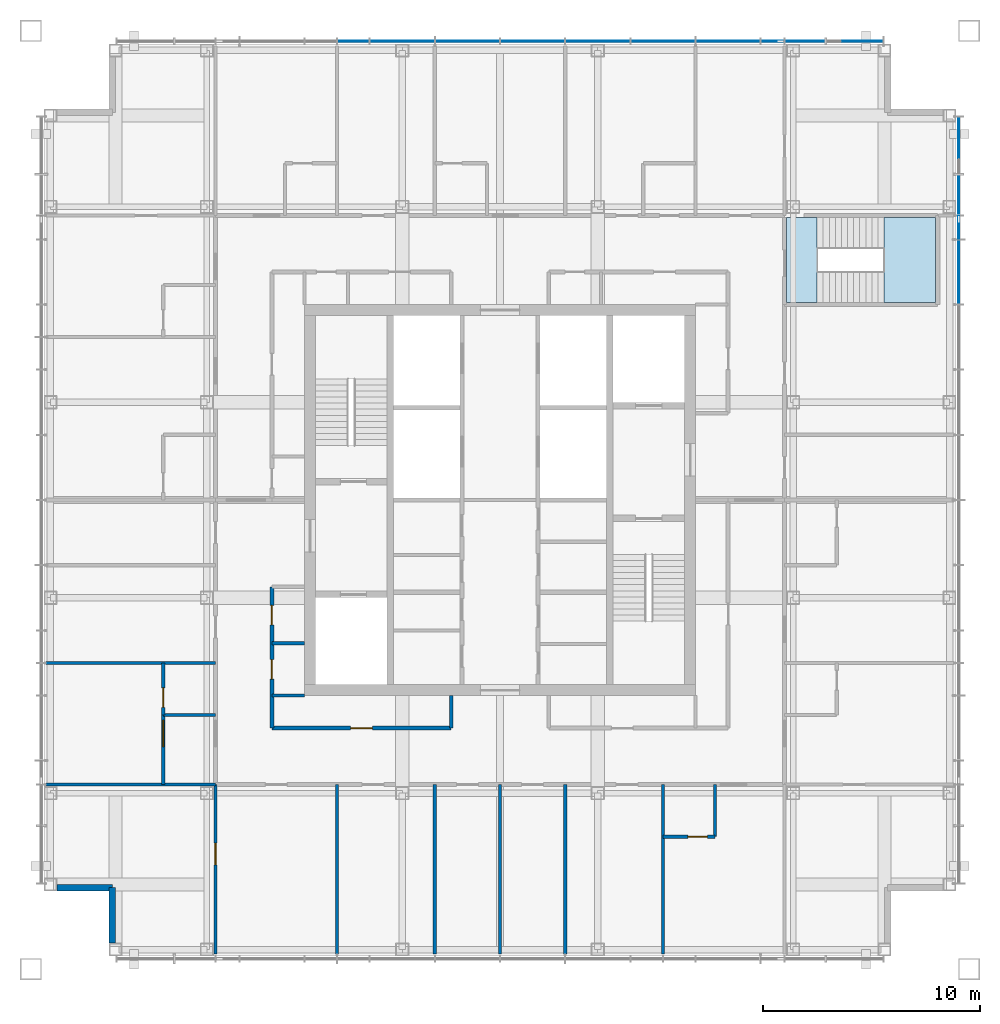
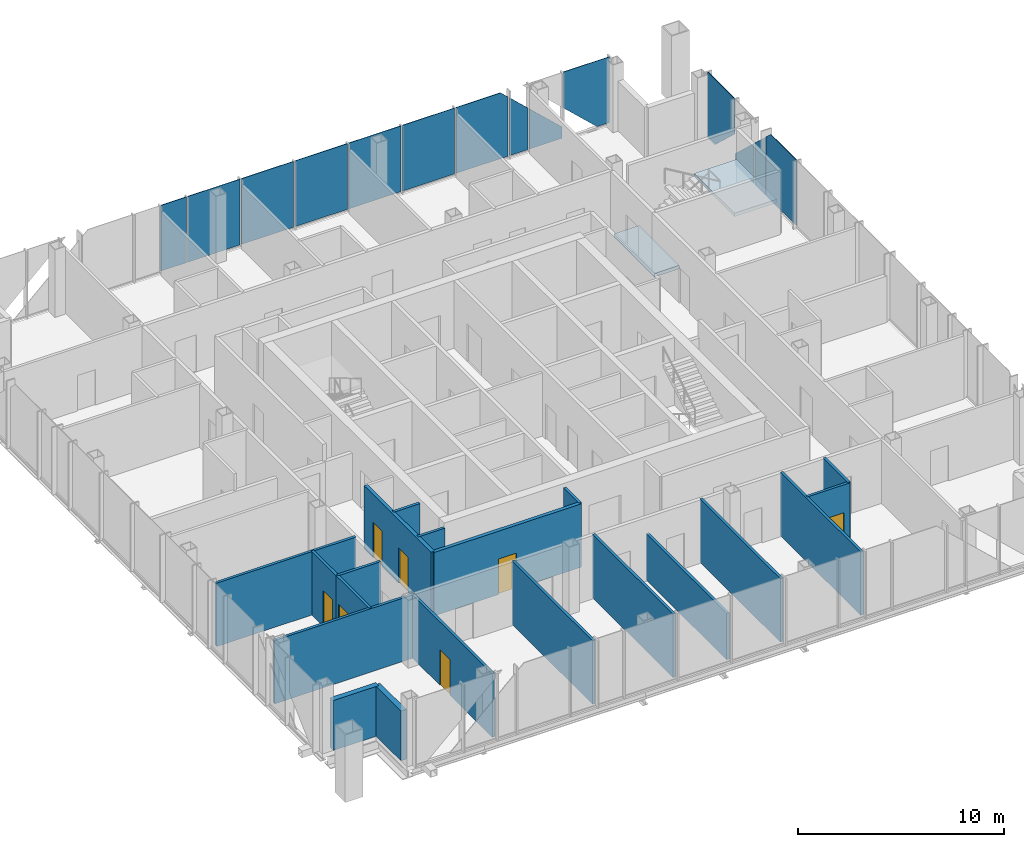
# One storey, part 7 of 16: 20 walls, 14 plates, 7 doors, 2 slabs, 7 openings, 3 elements without a shape of their own.
"""IFC4 building model written with IfcOpenShell, lengths in metres."""

from ifc_helpers import new_model, si_unit, direction, frame, frame_2d, origin, origin_2d, place, context, subcontext, project, spatial, polyline, rectangle, outline, extrude, material, layer, layer_set, type_object, element, fill, aggregate, save


model = new_model("IFC4")

# Units and contexts
model_context = context("Model", 3, precision=1e-05, world=origin(), true_north=direction((0.0, 1.0)))
body_context = subcontext(model_context, "Body", "Model", "MODEL_VIEW")
ifc_project = project(units=[si_unit("LENGTHUNIT", "METRE"), si_unit("AREAUNIT", "SQUARE_METRE"), si_unit("VOLUMEUNIT", "CUBIC_METRE"), si_unit("PLANEANGLEUNIT", "RADIAN"), si_unit("MASSUNIT", "GRAM", prefix="KILO")], contexts=[model_context])

# Site, building, storey
site_placement = place(None, origin())
site = spatial("IfcSite", under=ifc_project, at=site_placement, CompositionType="ELEMENT")
building_placement = place(site_placement, origin())
building = spatial("IfcBuilding", under=site, at=building_placement, Name="Malebo Sky Hospital", CompositionType="ELEMENT")
storey_placement = place(building_placement, frame((0.0, 0.0, 254.0)))
storey = spatial("IfcBuildingStorey", under=building, at=storey_placement, Name="L61", CompositionType="ELEMENT", Elevation=254.0)

# Stair, slabs
ifc_material_1 = material(Name="Concrete C40/50", Category="concrete")
stair_type = type_object("IfcStairType", Name="HALF-TURN STAIR 1400 R167", PredefinedType="HALF_TURN_STAIR", material=ifc_material_1)
stair_placement = place(storey_placement, origin())
stair = element("IfcStair", 1, at=stair_placement, inside=storey, type_object=stair_type, Name="Stair S3 L61 type ST1B", PredefinedType="HALF_TURN_STAIR")
ifc_layer_1 = layer(ifc_material_1, 0.199951171875)
ifc_layer_set_1 = layer_set([ifc_layer_1], Name="STAIR LANDING 200")
slab_type = type_object("IfcSlabType", Name="STAIR LANDING 200", PredefinedType="LANDING", material=ifc_layer_set_1)
slab_1_placement = place(storey_placement, frame((0.0, 0.0, -0.199951171875)))
slab_1 = element("IfcSlab", 2, at=slab_1_placement, type_object=slab_type, Name="S3 landing 1", PredefinedType="LANDING", context=body_context, shape_type="SweptSolid", body=[
    extrude(outline(polyline([(73.199951171875, 71.10009765625), (73.199951171875, 75.0), (74.60009765625, 75.0), (74.60009765625, 71.10009765625), (73.199951171875, 71.10009765625)])), origin(), (0.0, 0.0, 1.0), 0.199951171875),
])
slab_2_placement = place(storey_placement, frame((0.0, 0.0, 1.800048828125)))
slab_2 = element("IfcSlab", 3, at=slab_2_placement, type_object=slab_type, Name="S3 landing 2", PredefinedType="LANDING", context=body_context, shape_type="SweptSolid", body=[
    extrude(outline(polyline([(77.679931640625, 71.10009765625), (77.679931640625, 75.0), (80.050048828125, 75.0), (80.050048828125, 71.10009765625), (77.679931640625, 71.10009765625)])), origin(), (0.0, 0.0, 1.0), 0.199951171875),
])
aggregate(stair, [slab_1, slab_2])

# Curtain wall, plates
ifc_material_2 = material(Name="Anodised aluminium, natural silver", Category="aluminium")
ifc_layer_2 = layer(ifc_material_2, 0.25)
ifc_layer_set_2 = layer_set([ifc_layer_2], Name="WARD CURTAIN WALL NORTH AND SOUTH")
curtain_wall_type_1 = type_object("IfcCurtainWallType", Name="WARD CURTAIN WALL NORTH AND SOUTH", PredefinedType="NOTDEFINED", material=ifc_layer_set_2)
curtain_wall_1_placement = place(storey_placement, origin())
curtain_wall_1 = element("IfcCurtainWall", 4, at=curtain_wall_1_placement, inside=storey, type_object=curtain_wall_type_1, Name="NS curtain wall N", PredefinedType="NOTDEFINED")
ifc_material_3 = material(Name="Clear low-iron double glazing", Category="glass")
ifc_layer_3 = layer(ifc_material_3, 0.031982421875)
ifc_layer_set_3 = layer_set([ifc_layer_3], Name="VISION PANEL CLEAR 32")
plate_type = type_object("IfcPlateType", Name="VISION PANEL CLEAR 32", PredefinedType="CURTAIN_PANEL", material=ifc_layer_set_3)
plate_1_placement = place(storey_placement, frame((53.25, 83.125, 0.10009765625), z_axis=(0.0, 0.0, 1.0), x_axis=(1.0, 0.0, 0.0)))
plate_1 = element("IfcPlate", 5, at=plate_1_placement, type_object=plate_type, Name="Panel 6", PredefinedType="CURTAIN_PANEL", context=body_context, shape_type="SweptSolid", body=[
    extrude(rectangle(XDim=1.425048828125, YDim=0.031982421875, at=origin_2d()), origin(), (0.0, 0.0, 1.0), 3.889892578125),
])
plate_2_placement = place(storey_placement, frame((55.5, 83.125, 0.10009765625), z_axis=(0.0, 0.0, 1.0), x_axis=(1.0, 0.0, 0.0)))
plate_2 = element("IfcPlate", 6, at=plate_2_placement, type_object=plate_type, Name="Panel 7", PredefinedType="CURTAIN_PANEL", context=body_context, shape_type="SweptSolid", body=[
    extrude(rectangle(XDim=2.925048828125, YDim=0.031982421875, at=origin_2d()), origin(), (0.0, 0.0, 1.0), 3.889892578125),
])
plate_3_placement = place(storey_placement, frame((58.5, 83.125, 0.10009765625), z_axis=(0.0, 0.0, 1.0), x_axis=(1.0, 0.0, 0.0)))
plate_3 = element("IfcPlate", 7, at=plate_3_placement, type_object=plate_type, Name="Panel 8", PredefinedType="CURTAIN_PANEL", context=body_context, shape_type="SweptSolid", body=[
    extrude(rectangle(XDim=2.925048828125, YDim=0.031982421875, at=origin_2d()), origin(), (0.0, 0.0, 1.0), 3.889892578125),
])
plate_4_placement = place(storey_placement, frame((61.5, 83.125, 0.10009765625), z_axis=(0.0, 0.0, 1.0), x_axis=(1.0, 0.0, 0.0)))
plate_4 = element("IfcPlate", 8, at=plate_4_placement, type_object=plate_type, Name="Panel 9", PredefinedType="CURTAIN_PANEL", context=body_context, shape_type="SweptSolid", body=[
    extrude(rectangle(XDim=2.925048828125, YDim=0.031982421875, at=origin_2d()), origin(), (0.0, 0.0, 1.0), 3.889892578125),
])
plate_5_placement = place(storey_placement, frame((64.5, 83.125, 0.10009765625), z_axis=(0.0, 0.0, 1.0), x_axis=(1.0, 0.0, 0.0)))
plate_5 = element("IfcPlate", 9, at=plate_5_placement, type_object=plate_type, Name="Panel 10", PredefinedType="CURTAIN_PANEL", context=body_context, shape_type="SweptSolid", body=[
    extrude(rectangle(XDim=2.925048828125, YDim=0.031982421875, at=origin_2d()), origin(), (0.0, 0.0, 1.0), 3.889892578125),
])
plate_6_placement = place(storey_placement, frame((67.5, 83.125, 0.10009765625), z_axis=(0.0, 0.0, 1.0), x_axis=(1.0, 0.0, 0.0)))
plate_6 = element("IfcPlate", 10, at=plate_6_placement, type_object=plate_type, Name="Panel 11", PredefinedType="CURTAIN_PANEL", context=body_context, shape_type="SweptSolid", body=[
    extrude(rectangle(XDim=2.925048828125, YDim=0.031982421875, at=origin_2d()), origin(), (0.0, 0.0, 1.0), 3.889892578125),
])
plate_7_placement = place(storey_placement, frame((70.5, 83.125, 0.10009765625), z_axis=(0.0, 0.0, 1.0), x_axis=(1.0, 0.0, 0.0)))
plate_7 = element("IfcPlate", 11, at=plate_7_placement, type_object=plate_type, Name="Panel 12", PredefinedType="CURTAIN_PANEL", context=body_context, shape_type="SweptSolid", body=[
    extrude(outline(polyline([(-1.46240234375, 0.0), (1.46240234375, 0.0), (1.46240234375, 3.4912109375), (1.03662109375, 3.889892578125), (-1.46240234375, 3.889892578125), (-1.46240234375, 0.0)])), frame((0.0, 0.01611328125, 0.0), z_axis=(0.0, -1.0, 0.0), x_axis=(1.0, 0.0, 0.0)), (0.0, 0.0, 1.0), 0.031982421875),
])
plate_8_placement = place(storey_placement, frame((72.550048828125, 83.125, 0.10009765625), z_axis=(0.0, 0.0, 1.0), x_axis=(1.0, 0.0, 0.0)))
plate_8 = element("IfcPlate", 12, at=plate_8_placement, type_object=plate_type, Name="Panel 13", PredefinedType="CURTAIN_PANEL", context=body_context, shape_type="SweptSolid", body=[
    extrude(outline(polyline([(-0.512451171875, 0.0), (0.512451171875, 0.0), (0.512451171875, 2.461181640625), (-0.512451171875, 3.4208984375), (-0.512451171875, 0.0)])), frame((0.0, 0.01611328125, 0.0), z_axis=(0.0, -1.0, 0.0), x_axis=(1.0, 0.0, 0.0)), (0.0, 0.0, 1.0), 0.031982421875),
])
plate_9_placement = place(storey_placement, frame((74.050048828125, 83.125, 0.10009765625), z_axis=(0.0, 0.0, 1.0), x_axis=(1.0, 0.0, 0.0)))
plate_9 = element("IfcPlate", 13, at=plate_9_placement, type_object=plate_type, Name="Panel 14", PredefinedType="CURTAIN_PANEL", context=body_context, shape_type="SweptSolid", body=[
    extrude(outline(polyline([(-0.91259765625, 0.0), (0.91259765625, 0.0), (0.91259765625, 0.68212890625), (-0.91259765625, 2.390869140625), (-0.91259765625, 0.0)])), frame((0.0, 0.01611328125, 0.0), z_axis=(0.0, -1.0, 0.0), x_axis=(1.0, 0.0, 0.0)), (0.0, 0.0, 1.0), 0.031982421875),
])
plate_10_placement = place(storey_placement, frame((76.331298828125, 83.125, 0.10009765625), z_axis=(0.0, 0.0, 1.0), x_axis=(1.0, 0.0, 0.0)))
plate_10 = element("IfcPlate", 14, at=plate_10_placement, type_object=plate_type, Name="Panel 15", PredefinedType="CURTAIN_PANEL", context=body_context, shape_type="SweptSolid", body=[
    extrude(outline(polyline([(0.604736328125, 0.0), (1.293701171875, 0.0), (1.293701171875, 3.889892578125), (-1.293701171875, 3.889892578125), (-1.293701171875, 1.777587890625), (0.604736328125, 0.0)])), frame((0.0, 0.01611328125, 0.0), z_axis=(0.0, -1.0, 0.0), x_axis=(1.0, 0.0, 0.0)), (0.0, 0.0, 1.0), 0.031982421875),
])
aggregate(curtain_wall_1, [plate_1, plate_2, plate_3, plate_4, plate_5, plate_6, plate_7, plate_8, plate_9, plate_10])

ifc_layer_4 = layer(ifc_material_2, 0.25)
ifc_layer_set_4 = layer_set([ifc_layer_4], Name="WARD CURTAIN WALL EAST AND WEST")
curtain_wall_type_2 = type_object("IfcCurtainWallType", Name="WARD CURTAIN WALL EAST AND WEST", PredefinedType="NOTDEFINED", material=ifc_layer_set_4)
curtain_wall_2_placement = place(storey_placement, origin())
curtain_wall_2 = element("IfcCurtainWall", 15, at=curtain_wall_2_placement, inside=storey, type_object=curtain_wall_type_2, Name="EW curtain wall E", PredefinedType="NOTDEFINED")
plate_11_placement = place(storey_placement, frame((81.125, 78.331298828125, 0.10009765625), z_axis=(0.0, 0.0, 1.0), x_axis=(0.0, -1.0, 0.0)))
plate_11 = element("IfcPlate", 16, at=plate_11_placement, type_object=plate_type, Name="Panel 1", PredefinedType="CURTAIN_PANEL", context=body_context, shape_type="SweptSolid", body=[
    extrude(outline(polyline([(-1.293701171875, 0.0), (-0.604736328125, 0.0), (1.293701171875, 1.777587890625), (1.293701171875, 3.889892578125), (-1.293701171875, 3.889892578125), (-1.293701171875, 0.0)])), frame((0.0, 0.01611328125, 0.0), z_axis=(0.0, -1.0, 0.0), x_axis=(1.0, 0.0, 0.0)), (0.0, 0.0, 1.0), 0.031982421875),
])
plate_12_placement = place(storey_placement, frame((81.125, 76.050048828125, 0.10009765625), z_axis=(0.0, 0.0, 1.0), x_axis=(0.0, -1.0, 0.0)))
plate_12 = element("IfcPlate", 17, at=plate_12_placement, type_object=plate_type, Name="Panel 2", PredefinedType="CURTAIN_PANEL", context=body_context, shape_type="SweptSolid", body=[
    extrude(outline(polyline([(-0.91259765625, 0.0), (0.91259765625, 0.0), (0.91259765625, 2.390869140625), (-0.91259765625, 0.68212890625), (-0.91259765625, 0.0)])), frame((0.0, 0.01611328125, 0.0), z_axis=(0.0, -1.0, 0.0), x_axis=(1.0, 0.0, 0.0)), (0.0, 0.0, 1.0), 0.031982421875),
])
plate_13_placement = place(storey_placement, frame((81.125, 74.550048828125, 0.10009765625), z_axis=(0.0, 0.0, 1.0), x_axis=(0.0, -1.0, 0.0)))
plate_13 = element("IfcPlate", 18, at=plate_13_placement, type_object=plate_type, Name="Panel 3", PredefinedType="CURTAIN_PANEL", context=body_context, shape_type="SweptSolid", body=[
    extrude(outline(polyline([(-0.512451171875, 0.0), (0.512451171875, 0.0), (0.512451171875, 3.4208984375), (-0.512451171875, 2.461181640625), (-0.512451171875, 0.0)])), frame((0.0, 0.01611328125, 0.0), z_axis=(0.0, -1.0, 0.0), x_axis=(1.0, 0.0, 0.0)), (0.0, 0.0, 1.0), 0.031982421875),
])
plate_14_placement = place(storey_placement, frame((81.125, 72.5, 0.10009765625), z_axis=(0.0, 0.0, 1.0), x_axis=(0.0, -1.0, 0.0)))
plate_14 = element("IfcPlate", 19, at=plate_14_placement, type_object=plate_type, Name="Panel 4", PredefinedType="CURTAIN_PANEL", context=body_context, shape_type="SweptSolid", body=[
    extrude(outline(polyline([(-1.46240234375, 0.0), (1.46240234375, 0.0), (1.46240234375, 3.889892578125), (-1.03662109375, 3.889892578125), (-1.46240234375, 3.4912109375), (-1.46240234375, 0.0)])), frame((0.0, 0.01611328125, 0.0), z_axis=(0.0, -1.0, 0.0), x_axis=(1.0, 0.0, 0.0)), (0.0, 0.0, 1.0), 0.031982421875),
])
aggregate(curtain_wall_2, [plate_11, plate_12, plate_13, plate_14])

# Wall, openings, doors
ifc_material_4 = material(Name="Gypsum board on steel studs", Category="steel")
ifc_layer_5 = layer(ifc_material_4, 0.199951171875)
ifc_layer_set_5 = layer_set([ifc_layer_5], Name="CORRIDOR WALL 200")
wall_type_1 = type_object("IfcWallType", Name="CORRIDOR WALL 200", PredefinedType="PARTITIONING", material=ifc_layer_set_5)
wall_1_placement = place(storey_placement, frame((49.5, 51.5, 0.0), z_axis=(0.0, 0.0, 1.0), x_axis=(0.0, 1.0, 0.0)))
wall_1 = element("IfcWall", 20, at=wall_1_placement, inside=storey, type_object=wall_type_1, Name="Corridor Wall 200 WCI1", PredefinedType="PARTITIONING", context=body_context, shape_type="SweptSolid", body=[
    extrude(rectangle(XDim=6.5, YDim=0.199951171875, at=frame_2d((3.25, 0.0))), origin(), (0.0, 0.0, 1.0), 3.75),
])
opening_1_placement = place(wall_1_placement, frame((2.25, 0.0, 0.0)))
opening_1 = element("IfcOpeningElement", 21, at=opening_1_placement, cuts=wall_1, Name="Opening D04", PredefinedType="OPENING", context=body_context, shape_type="SweptSolid", body=[
    extrude(rectangle(XDim=0.89990234375, YDim=2.10009765625, at=frame_2d((0.449951171875, 1.050048828125))), frame((0.0, 0.10986328125, 0.0), z_axis=(0.0, -1.0, 0.0), x_axis=(1.0, 0.0, 0.0)), (0.0, 0.0, 1.0), 0.219970703125),
])
opening_2_placement = place(wall_1_placement, frame((4.75, 0.0, 0.0)))
opening_2 = element("IfcOpeningElement", 22, at=opening_2_placement, cuts=wall_1, Name="Opening D04", PredefinedType="OPENING", context=body_context, shape_type="SweptSolid", body=[
    extrude(rectangle(XDim=0.89990234375, YDim=2.10009765625, at=frame_2d((0.449951171875, 1.050048828125))), frame((0.0, 0.10986328125, 0.0), z_axis=(0.0, -1.0, 0.0), x_axis=(1.0, 0.0, 0.0)), (0.0, 0.0, 1.0), 0.219970703125),
])
ifc_material_5 = material(Name="Hardwood-faced door leaf in steel frame", Category="steel")
door_type_1 = type_object("IfcDoorType", Name="ROOM DOOR 900", OperationType="SINGLE_SWING_LEFT", PredefinedType="DOOR", material=ifc_material_5)
door_1_placement = place(opening_1_placement, origin())
door_1 = element("IfcDoor", 23, at=door_1_placement, inside=storey, type_object=door_type_1, Name="Communications room door", OperationType="SINGLE_SWING_LEFT", OverallHeight=2.10009765625, OverallWidth=0.89990234375, PredefinedType="DOOR", context=body_context, shape_type="SweptSolid", body=[
    extrude(rectangle(XDim=0.89990234375, YDim=2.10009765625, at=frame_2d((0.449951171875, 1.050048828125))), frame((0.0, 0.02490234375, 0.0), z_axis=(0.0, -1.0, 0.0), x_axis=(1.0, 0.0, 0.0)), (0.0, 0.0, 1.0), 0.050048828125),
])
fill(opening_1, door_1)
door_2_placement = place(opening_2_placement, origin())
door_2 = element("IfcDoor", 24, at=door_2_placement, inside=storey, type_object=door_type_1, Name="Equipment store door", OperationType="SINGLE_SWING_LEFT", OverallHeight=2.10009765625, OverallWidth=0.89990234375, PredefinedType="DOOR", context=body_context, shape_type="SweptSolid", body=[
    extrude(rectangle(XDim=0.89990234375, YDim=2.10009765625, at=frame_2d((0.449951171875, 1.050048828125))), frame((0.0, 0.02490234375, 0.0), z_axis=(0.0, -1.0, 0.0), x_axis=(1.0, 0.0, 0.0)), (0.0, 0.0, 1.0), 0.050048828125),
])
fill(opening_2, door_2)

# Wall, opening, door
wall_2_placement = place(storey_placement, frame((57.75, 51.5, 0.0), z_axis=(0.0, 0.0, 1.0), x_axis=(-1.0, 0.0, 0.0)))
wall_2 = element("IfcWall", 25, at=wall_2_placement, inside=storey, type_object=wall_type_1, Name="Corridor Wall 200 SCI2", PredefinedType="PARTITIONING", context=body_context, shape_type="SweptSolid", body=[
    extrude(rectangle(XDim=8.25, YDim=0.199951171875, at=frame_2d((4.125, 0.0))), origin(), (0.0, 0.0, 1.0), 3.75),
])
opening_3_placement = place(wall_2_placement, frame((3.625, 0.0, 0.0)))
opening_3 = element("IfcOpeningElement", 26, at=opening_3_placement, cuts=wall_2, Name="Opening D03", PredefinedType="OPENING", context=body_context, shape_type="SweptSolid", body=[
    extrude(rectangle(XDim=1.0, YDim=2.10009765625, at=frame_2d((0.5, 1.050048828125))), frame((0.0, 0.10986328125, 0.0), z_axis=(0.0, -1.0, 0.0), x_axis=(1.0, 0.0, 0.0)), (0.0, 0.0, 1.0), 0.219970703125),
])
door_type_2 = type_object("IfcDoorType", Name="ROOM DOOR 1000", OperationType="SINGLE_SWING_LEFT", PredefinedType="DOOR", material=ifc_material_5)
door_3_placement = place(opening_3_placement, origin())
door_3 = element("IfcDoor", 27, at=door_3_placement, inside=storey, type_object=door_type_2, Name="Mobile equipment store door", OperationType="SINGLE_SWING_RIGHT", OverallHeight=2.10009765625, OverallWidth=1.0, PredefinedType="DOOR", context=body_context, shape_type="SweptSolid", body=[
    extrude(rectangle(XDim=1.0, YDim=2.10009765625, at=frame_2d((0.5, 1.050048828125))), frame((0.0, 0.02490234375, 0.0), z_axis=(0.0, -1.0, 0.0), x_axis=(1.0, 0.0, 0.0)), (0.0, 0.0, 1.0), 0.050048828125),
])
fill(opening_3, door_3)

# Walls
ifc_material_6 = material(Name="Anodised aluminium rainscreen on steel framing", Category="steel")
ifc_layer_6 = layer(ifc_material_6, 0.300048828125)
ifc_layer_set_6 = layer_set([ifc_layer_6], Name="NOTCH RAINSCREEN WALL 300")
wall_type_2 = type_object("IfcWallType", Name="NOTCH RAINSCREEN WALL 300", PredefinedType="ELEMENTEDWALL", material=ifc_layer_set_6)
for number, where, z_axis, x_axis, name in (
    (28, (42.14990234375, 41.60009765625, 0.0), (0.0, 0.0, 1.0), (0.0, 1.0, 0.0), "Notch rainscreen wall S1 L61"),
    (29, (42.14990234375, 44.14990234375, 0.0), (0.0, 0.0, 1.0), (-1.0, 0.0, 0.0), "Notch rainscreen wall S2 L61"),
):
    element("IfcWall", number, at=place(storey_placement, frame(where, z_axis=z_axis, x_axis=x_axis)), inside=storey, type_object=wall_type_2, Name=name, PredefinedType="ELEMENTEDWALL", context=body_context, shape_type="SweptSolid", body=[
        extrude(rectangle(XDim=2.5498046875, YDim=0.300048828125, at=frame_2d((1.27490234375, 0.0))), origin(), (0.0, 0.0, 1.0), 2.949951171875),
    ])
ifc_layer_7 = layer(ifc_material_4, 0.14990234375)
ifc_layer_set_7 = layer_set([ifc_layer_7], Name="PARTITION 150")
wall_type_3 = type_object("IfcWallType", Name="PARTITION 150", PredefinedType="PARTITIONING", material=ifc_layer_set_7)
for number, where, z_axis, x_axis, name in (
    (30, (46.89990234375, 54.5, 0.0), (0.0, 0.0, 1.0), (-1.0, 0.0, 0.0), "Partition 150 WP-7.5"),
    (31, (46.89990234375, 48.89990234375, 0.0), (0.0, 0.0, 1.0), (-1.0, 0.0, 0.0), "Partition 150 WP0"),
):
    element("IfcWall", number, at=place(storey_placement, frame(where, z_axis=z_axis, x_axis=x_axis)), inside=storey, type_object=wall_type_3, Name=name, PredefinedType="PARTITIONING", context=body_context, shape_type="SweptSolid", body=[
        extrude(rectangle(XDim=7.7998046875, YDim=0.14990234375, at=frame_2d((3.89990234375, 0.0))), origin(), (0.0, 0.0, 1.0), 3.75),
    ])

# Wall, opening, door
wall_3_placement = place(storey_placement, frame((44.5, 52.10009765625, 0.0), z_axis=(0.0, 0.0, 1.0), x_axis=(0.0, 1.0, 0.0)))
wall_3 = element("IfcWall", 32, at=wall_3_placement, inside=storey, type_object=wall_type_3, Name="Partition 150 WE0F", PredefinedType="PARTITIONING", context=body_context, shape_type="SweptSolid", body=[
    extrude(rectangle(XDim=2.39990234375, YDim=0.14990234375, at=frame_2d((1.199951171875, 0.0))), origin(), (0.0, 0.0, 1.0), 3.75),
])
opening_4_placement = place(wall_3_placement, frame((0.35009765625, 0.0, 0.0)))
opening_4 = element("IfcOpeningElement", 33, at=opening_4_placement, cuts=wall_3, Name="Opening D02", PredefinedType="OPENING", context=body_context, shape_type="SweptSolid", body=[
    extrude(rectangle(XDim=0.89990234375, YDim=2.10009765625, at=frame_2d((0.449951171875, 1.050048828125))), frame((0.0, 0.0849609375, 0.0), z_axis=(0.0, -1.0, 0.0), x_axis=(1.0, 0.0, 0.0)), (0.0, 0.0, 1.0), 0.169921875),
])
door_type_3 = type_object("IfcDoorType", Name="EN-SUITE DOOR 900", OperationType="SINGLE_SWING_LEFT", PredefinedType="DOOR", material=ifc_material_5)
door_4_placement = place(opening_4_placement, origin())
door_4 = element("IfcDoor", 34, at=door_4_placement, inside=storey, type_object=door_type_3, Name="En-suite door", OperationType="SINGLE_SWING_LEFT", OverallHeight=2.10009765625, OverallWidth=0.89990234375, PredefinedType="DOOR", context=body_context, shape_type="SweptSolid", body=[
    extrude(rectangle(XDim=0.89990234375, YDim=2.10009765625, at=frame_2d((0.449951171875, 1.050048828125))), frame((0.0, 0.02490234375, 0.0), z_axis=(0.0, -1.0, 0.0), x_axis=(1.0, 0.0, 0.0)), (0.0, 0.0, 1.0), 0.050048828125),
])
fill(opening_4, door_4)

# Walls
wall_4_placement = place(storey_placement, frame((46.89990234375, 52.10009765625, 0.0), z_axis=(0.0, 0.0, 1.0), x_axis=(-1.0, 0.0, 0.0)))
element("IfcWall", 35, at=wall_4_placement, inside=storey, type_object=wall_type_3, Name="Partition 150 WE0S", PredefinedType="PARTITIONING", context=body_context, shape_type="SweptSolid", body=[
    extrude(rectangle(XDim=2.39990234375, YDim=0.14990234375, at=frame_2d((1.199951171875, 0.0))), origin(), (0.0, 0.0, 1.0), 3.75),
])
for number, where, z_axis, x_axis, name in (
    (36, (51.0, 53.0, 0.0), (0.0, 0.0, 1.0), (-1.0, 0.0, 0.0), "Partition 150 WSP0"),
    (37, (51.0, 55.39990234375, 0.0), (0.0, 0.0, 1.0), (-1.0, 0.0, 0.0), "Partition 150 WSP-6.6"),
):
    element("IfcWall", number, at=place(storey_placement, frame(where, z_axis=z_axis, x_axis=x_axis)), inside=storey, type_object=wall_type_3, Name=name, PredefinedType="PARTITIONING", context=body_context, shape_type="SweptSolid", body=[
        extrude(rectangle(XDim=1.5, YDim=0.14990234375, at=frame_2d((0.75, 0.0))), origin(), (0.0, 0.0, 1.0), 3.75),
    ])
for number, where, z_axis, x_axis, name in (
    (38, (67.5, 48.89990234375, 0.0), (0.0, 0.0, 1.0), (0.0, -1.0, 0.0), "Partition 150 SP-7.5"),
    (39, (63.0, 48.89990234375, 0.0), (0.0, 0.0, 1.0), (0.0, -1.0, 0.0), "Partition 150 SP-3.0"),
):
    element("IfcWall", number, at=place(storey_placement, frame(where, z_axis=z_axis, x_axis=x_axis)), inside=storey, type_object=wall_type_3, Name=name, PredefinedType="PARTITIONING", context=body_context, shape_type="SweptSolid", body=[
        extrude(rectangle(XDim=7.7998046875, YDim=0.14990234375, at=frame_2d((3.89990234375, 0.0))), origin(), (0.0, 0.0, 1.0), 3.75),
    ])
wall_5_placement = place(storey_placement, frame((60.0, 48.89990234375, 0.0), z_axis=(0.0, 0.0, 1.0), x_axis=(0.0, -1.0, 0.0)))
element("IfcWall", 40, at=wall_5_placement, inside=storey, type_object=wall_type_3, Name="Partition 150 SP+0.0", PredefinedType="PARTITIONING", context=body_context, shape_type="SweptSolid", body=[
    extrude(rectangle(XDim=7.7998046875, YDim=0.14990234375, at=frame_2d((3.89990234375, 0.0))), origin(), (0.0, 0.0, 1.0), 2.75),
])
for number, where, z_axis, x_axis, name in (
    (41, (57.0, 48.89990234375, 0.0), (0.0, 0.0, 1.0), (0.0, -1.0, 0.0), "Partition 150 SP+3.0"),
    (42, (52.5, 48.89990234375, 0.0), (0.0, 0.0, 1.0), (0.0, -1.0, 0.0), "Partition 150 SP+7.5"),
):
    element("IfcWall", number, at=place(storey_placement, frame(where, z_axis=z_axis, x_axis=x_axis)), inside=storey, type_object=wall_type_3, Name=name, PredefinedType="PARTITIONING", context=body_context, shape_type="SweptSolid", body=[
        extrude(rectangle(XDim=7.7998046875, YDim=0.14990234375, at=frame_2d((3.89990234375, 0.0))), origin(), (0.0, 0.0, 1.0), 3.75),
    ])

# Wall, opening, door
wall_6_placement = place(storey_placement, frame((69.89990234375, 46.5, 0.0), z_axis=(0.0, 0.0, 1.0), x_axis=(-1.0, 0.0, 0.0)))
wall_6 = element("IfcWall", 43, at=wall_6_placement, inside=storey, type_object=wall_type_3, Name="Partition 150 SE0F", PredefinedType="PARTITIONING", context=body_context, shape_type="SweptSolid", body=[
    extrude(rectangle(XDim=2.39990234375, YDim=0.14990234375, at=frame_2d((1.199951171875, 0.0))), origin(), (0.0, 0.0, 1.0), 3.75),
])
opening_5_placement = place(wall_6_placement, frame((0.35009765625, 0.0, 0.0)))
opening_5 = element("IfcOpeningElement", 44, at=opening_5_placement, cuts=wall_6, Name="Opening D02", PredefinedType="OPENING", context=body_context, shape_type="SweptSolid", body=[
    extrude(rectangle(XDim=0.89990234375, YDim=2.10009765625, at=frame_2d((0.449951171875, 1.050048828125))), frame((0.0, 0.0849609375, 0.0), z_axis=(0.0, -1.0, 0.0), x_axis=(1.0, 0.0, 0.0)), (0.0, 0.0, 1.0), 0.169921875),
])
door_5_placement = place(opening_5_placement, origin())
door_5 = element("IfcDoor", 45, at=door_5_placement, inside=storey, type_object=door_type_3, Name="En-suite door", OperationType="SINGLE_SWING_LEFT", OverallHeight=2.10009765625, OverallWidth=0.89990234375, PredefinedType="DOOR", context=body_context, shape_type="SweptSolid", body=[
    extrude(rectangle(XDim=0.89990234375, YDim=2.10009765625, at=frame_2d((0.449951171875, 1.050048828125))), frame((0.0, 0.02490234375, 0.0), z_axis=(0.0, -1.0, 0.0), x_axis=(1.0, 0.0, 0.0)), (0.0, 0.0, 1.0), 0.050048828125),
])
fill(opening_5, door_5)

# Wall
wall_7_placement = place(storey_placement, frame((69.89990234375, 48.89990234375, 0.0), z_axis=(0.0, 0.0, 1.0), x_axis=(0.0, -1.0, 0.0)))
element("IfcWall", 46, at=wall_7_placement, inside=storey, type_object=wall_type_3, Name="Partition 150 SE0S", PredefinedType="PARTITIONING", context=body_context, shape_type="SweptSolid", body=[
    extrude(rectangle(XDim=2.39990234375, YDim=0.14990234375, at=frame_2d((1.199951171875, 0.0))), origin(), (0.0, 0.0, 1.0), 3.75),
])

# Wall, opening, door
wall_8_placement = place(storey_placement, frame((46.89990234375, 48.89990234375, 0.0), z_axis=(0.0, 0.0, 1.0), x_axis=(0.0, -1.0, 0.0)))
wall_8 = element("IfcWall", 47, at=wall_8_placement, inside=storey, type_object=wall_type_3, Name="Partition 150 SK", PredefinedType="PARTITIONING", context=body_context, shape_type="SweptSolid", body=[
    extrude(rectangle(XDim=7.7998046875, YDim=0.14990234375, at=frame_2d((3.89990234375, 0.0))), origin(), (0.0, 0.0, 1.0), 3.75),
])
opening_6_placement = place(wall_8_placement, frame((2.699951171875, 0.0, 0.0)))
opening_6 = element("IfcOpeningElement", 48, at=opening_6_placement, cuts=wall_8, Name="Opening D03", PredefinedType="OPENING", context=body_context, shape_type="SweptSolid", body=[
    extrude(rectangle(XDim=1.0, YDim=2.10009765625, at=frame_2d((0.5, 1.050048828125))), frame((0.0, 0.0849609375, 0.0), z_axis=(0.0, -1.0, 0.0), x_axis=(1.0, 0.0, 0.0)), (0.0, 0.0, 1.0), 0.169921875),
])
door_6_placement = place(opening_6_placement, origin())
door_6 = element("IfcDoor", 49, at=door_6_placement, inside=storey, type_object=door_type_2, Name="Quiet room door", OperationType="SINGLE_SWING_LEFT", OverallHeight=2.10009765625, OverallWidth=1.0, PredefinedType="DOOR", context=body_context, shape_type="SweptSolid", body=[
    extrude(rectangle(XDim=1.0, YDim=2.10009765625, at=frame_2d((0.5, 1.050048828125))), frame((0.0, 0.02490234375, 0.0), z_axis=(0.0, -1.0, 0.0), x_axis=(1.0, 0.0, 0.0)), (0.0, 0.0, 1.0), 0.050048828125),
])
fill(opening_6, door_6)

# Wall
wall_9_placement = place(storey_placement, frame((57.75, 53.0, 0.0), z_axis=(0.0, 0.0, 1.0), x_axis=(0.0, -1.0, 0.0)))
element("IfcWall", 50, at=wall_9_placement, inside=storey, type_object=wall_type_3, Name="Partition 150 SSPB", PredefinedType="PARTITIONING", context=body_context, shape_type="SweptSolid", body=[
    extrude(rectangle(XDim=1.5, YDim=0.14990234375, at=frame_2d((0.75, 0.0))), origin(), (0.0, 0.0, 1.0), 3.75),
])

# Wall, opening, door
ifc_material_7 = material(Name="Sealed gypsum board on steel studs, taped to the slab", Category="steel")
ifc_layer_8 = layer(ifc_material_7, 0.14990234375)
ifc_layer_set_8 = layer_set([ifc_layer_8], Name="SEALED ISOLATION PARTITION 150")
wall_type_4 = type_object("IfcWallType", Name="SEALED ISOLATION PARTITION 150", PredefinedType="PARTITIONING", material=ifc_layer_set_8)
wall_10_placement = place(storey_placement, frame((44.5, 48.89990234375, 0.0), z_axis=(0.0, 0.0, 1.0), x_axis=(0.0, 1.0, 0.0)))
wall_10 = element("IfcWall", 51, at=wall_10_placement, inside=storey, type_object=wall_type_4, Name="Sealed Isolation Partition 150 WA0F", PredefinedType="PARTITIONING", context=body_context, shape_type="SweptSolid", body=[
    extrude(rectangle(XDim=3.2001953125, YDim=0.14990234375, at=frame_2d((1.60009765625, 0.0))), origin(), (0.0, 0.0, 1.0), 3.75),
])
opening_7_placement = place(wall_10_placement, frame((1.75, 0.0, 0.0)))
opening_7 = element("IfcOpeningElement", 52, at=opening_7_placement, cuts=wall_10, Name="Opening D19", PredefinedType="OPENING", context=body_context, shape_type="SweptSolid", body=[
    extrude(rectangle(XDim=1.199951171875, YDim=2.199951171875, at=frame_2d((0.60009765625, 1.10009765625))), frame((0.0, 0.0849609375, 0.0), z_axis=(0.0, -1.0, 0.0), x_axis=(1.0, 0.0, 0.0)), (0.0, 0.0, 1.0), 0.169921875),
])
ifc_material_8 = material(Name="Hardwood-faced door leaf with perimeter seals in steel frame", Category="steel")
door_type_4 = type_object("IfcDoorType", Name="SEALED ISOLATION ROOM DOOR 1200", OperationType="SINGLE_SWING_LEFT", PredefinedType="DOOR", material=ifc_material_8)
door_7_placement = place(opening_7_placement, origin())
door_7 = element("IfcDoor", 53, at=door_7_placement, inside=storey, type_object=door_type_4, Name="Isolation room door", OperationType="SINGLE_SWING_RIGHT", OverallHeight=2.199951171875, OverallWidth=1.199951171875, PredefinedType="DOOR", context=body_context, shape_type="SweptSolid", body=[
    extrude(rectangle(XDim=1.199951171875, YDim=2.199951171875, at=frame_2d((0.60009765625, 1.10009765625))), frame((0.0, 0.02490234375, 0.0), z_axis=(0.0, -1.0, 0.0), x_axis=(1.0, 0.0, 0.0)), (0.0, 0.0, 1.0), 0.050048828125),
])
fill(opening_7, door_7)

save(model, "model.ifc")
